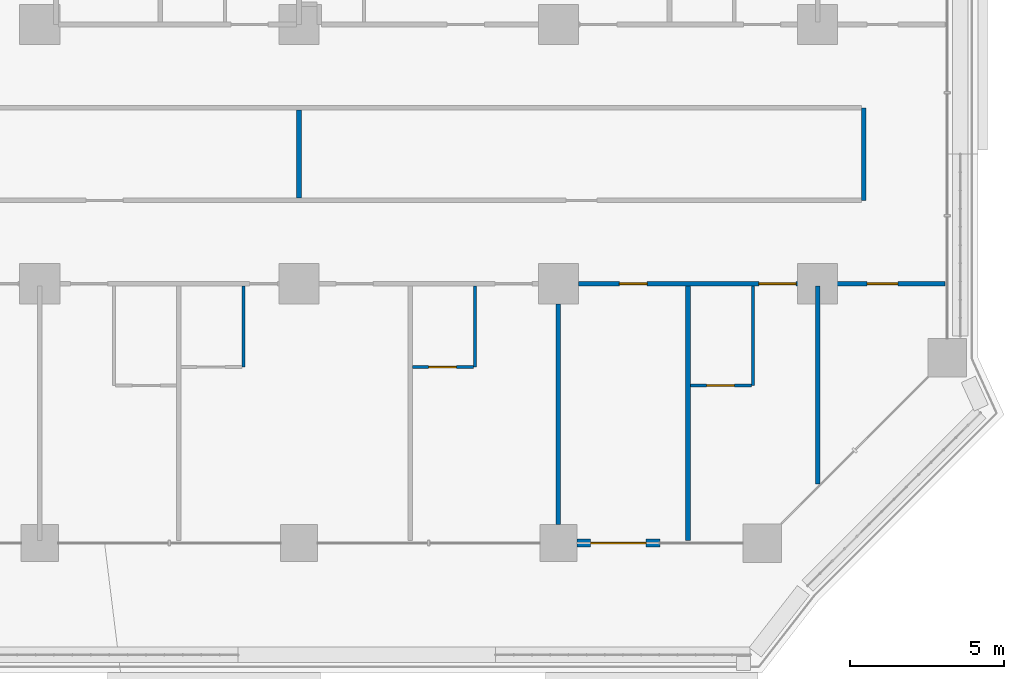
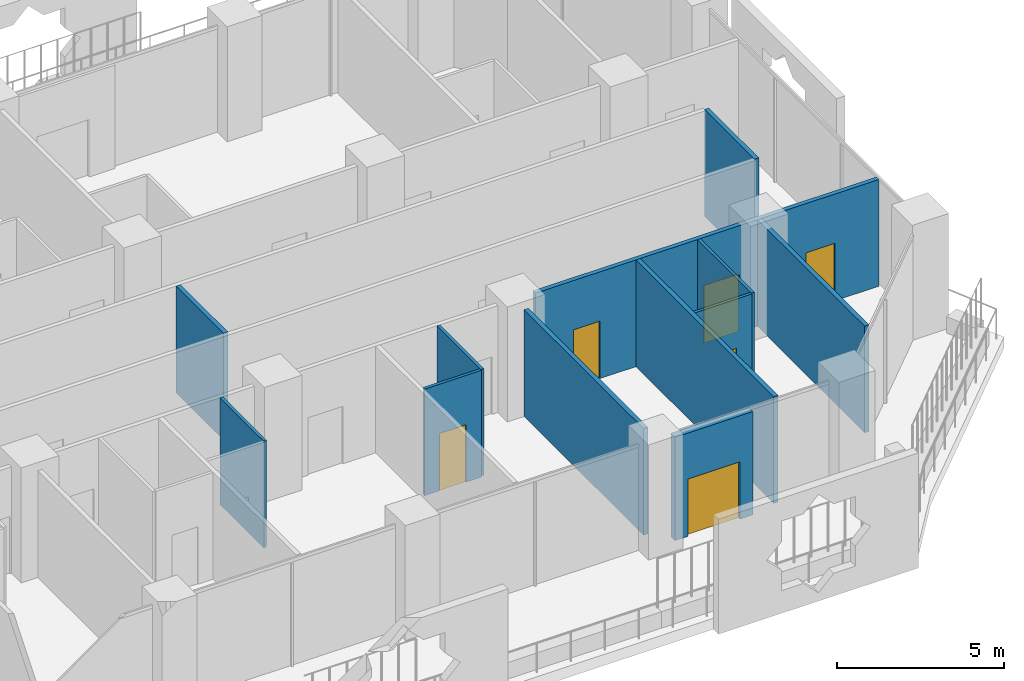
# One storey, part 17 of 28: 12 walls, 6 doors, 6 openings.
"""IFC4 building model written with IfcOpenShell, lengths in metres."""

from ifc_helpers import new_model, si_unit, direction, frame, frame_2d, origin, place, context, subcontext, project, spatial, rectangle, extrude, material, layer, layer_set, type_object, element, fill, save


model = new_model("IFC4")

# Units and contexts
model_context = context("Model", 3, precision=1e-05, world=origin(), true_north=direction((0.0, 1.0)))
body_context = subcontext(model_context, "Body", "Model", "MODEL_VIEW")
ifc_project = project(units=[si_unit("LENGTHUNIT", "METRE"), si_unit("AREAUNIT", "SQUARE_METRE"), si_unit("VOLUMEUNIT", "CUBIC_METRE"), si_unit("PLANEANGLEUNIT", "RADIAN"), si_unit("MASSUNIT", "GRAM", prefix="KILO")], contexts=[model_context])

# Site, building, storey
site_placement = place(None, origin())
site = spatial("IfcSite", under=ifc_project, at=site_placement, CompositionType="ELEMENT")
building_placement = place(site_placement, origin())
building = spatial("IfcBuilding", under=site, at=building_placement, Name="Kawkab Arch Medical Tower", CompositionType="ELEMENT")
storey_placement = place(building_placement, frame((0.0, 0.0, 81.199951171875)))
storey = spatial("IfcBuildingStorey", under=building, at=storey_placement, Name="L18", CompositionType="ELEMENT", Elevation=81.199951171875)

# Wall, opening, door
ifc_material_1 = material(Name="Bronze clad insulated wall panel")
ifc_layer_1 = layer(ifc_material_1, 0.25)
ifc_layer_set_1 = layer_set([ifc_layer_1], Name="Bronze clad insulated wall panel")
wall_type_1 = type_object("IfcWallType", Name="External wall bay 250", PredefinedType="SOLIDWALL", material=ifc_layer_set_1)
wall_1_placement = place(storey_placement, frame((67.800048828125, -25.199951171875, 0.0), z_axis=(0.0, 0.0, 1.0), x_axis=(1.0, 0.0, 0.0)))
wall_1 = element("IfcWall", 1, at=wall_1_placement, inside=storey, type_object=wall_type_1, Name="External wall bay L18.R07.5.1", PredefinedType="SOLIDWALL", context=body_context, shape_type="SweptSolid", body=[
    extrude(rectangle(XDim=2.6875, YDim=0.25, at=frame_2d((1.34375, 0.0))), origin(), (0.0, 0.0, 1.0), 3.780029296875),
])
opening_1_placement = place(wall_1_placement, frame((0.443603515625, 0.0, 0.0)))
opening_1 = element("IfcOpeningElement", 2, at=opening_1_placement, cuts=wall_1, Name="Opening W18-702", PredefinedType="OPENING", context=body_context, shape_type="SweptSolid", body=[
    extrude(rectangle(XDim=1.800048828125, YDim=2.10009765625, at=frame_2d((0.89990234375, 1.050048828125))), frame((0.0, 0.135009765625, 0.0), z_axis=(0.0, -1.0, 0.0), x_axis=(1.0, 0.0, 0.0)), (0.0, 0.0, 1.0), 0.27001953125),
])
ifc_material_2 = material(Name="Bronze anodised aluminium door with tinted glass", Category="aluminium")
door_type_1 = type_object("IfcDoorType", Name="Double external door 1800 x 2100", OperationType="DOUBLE_DOOR_SINGLE_SWING", PredefinedType="DOOR", material=ifc_material_2)
door_1_placement = place(opening_1_placement, origin())
door_1 = element("IfcDoor", 3, at=door_1_placement, inside=storey, type_object=door_type_1, Name="External door L18.R07.5.1", OperationType="DOUBLE_DOOR_SINGLE_SWING", OverallHeight=2.10009765625, OverallWidth=1.800048828125, PredefinedType="DOOR", context=body_context, shape_type="SweptSolid", body=[
    extrude(rectangle(XDim=1.800048828125, YDim=2.10009765625, at=frame_2d((0.89990234375, 1.050048828125))), frame((0.0, 0.02490234375, 0.0), z_axis=(0.0, -1.0, 0.0), x_axis=(1.0, 0.0, 0.0)), (0.0, 0.0, 1.0), 0.050048828125),
])
fill(opening_1, door_1)

ifc_material_3 = material(Name="Gypsum board partition on steel studs", Category="steel")
ifc_layer_2 = layer(ifc_material_3, 0.10009765625)
ifc_layer_set_2 = layer_set([ifc_layer_2], Name="Gypsum board partition on steel studs")
wall_type_2 = type_object("IfcWallType", Name="Partition 100", PredefinedType="PARTITIONING", material=ifc_layer_set_2)
wall_2_placement = place(storey_placement, frame((71.47509765625, -20.10009765625, 0.0), z_axis=(0.0, 0.0, 1.0), x_axis=(1.0, 0.0, 0.0)))
wall_2 = element("IfcWall", 4, at=wall_2_placement, inside=storey, type_object=wall_type_2, Name="Partition 100 w011", PredefinedType="PARTITIONING", context=body_context, shape_type="SweptSolid", body=[
    extrude(rectangle(XDim=1.974853515625, YDim=0.10009765625, at=frame_2d((0.9873046875, 0.0))), origin(), (0.0, 0.0, 1.0), 3.900146484375),
])
opening_2_placement = place(wall_2_placement, frame((0.52490234375, 0.0, 0.0)))
opening_2 = element("IfcOpeningElement", 5, at=opening_2_placement, cuts=wall_2, Name="Opening W18-014", PredefinedType="OPENING", context=body_context, shape_type="SweptSolid", body=[
    extrude(rectangle(XDim=0.89990234375, YDim=2.10009765625, at=frame_2d((0.449951171875, 1.050048828125))), frame((0.0, 0.06005859375, 0.0), z_axis=(0.0, -1.0, 0.0), x_axis=(1.0, 0.0, 0.0)), (0.0, 0.0, 1.0), 0.1201171875),
])
ifc_material_4 = material(Name="Timber door leaf", Category="wood")
door_type_2 = type_object("IfcDoorType", Name="Single door 900x2100", OperationType="NOTDEFINED", PredefinedType="DOOR", material=ifc_material_4)
door_2_placement = place(opening_2_placement, origin())
door_2 = element("IfcDoor", 6, at=door_2_placement, inside=storey, type_object=door_type_2, Name="Door W18-014", OperationType="SINGLE_SWING_LEFT", OverallHeight=2.10009765625, OverallWidth=0.89990234375, PredefinedType="DOOR", context=body_context, shape_type="SweptSolid", body=[
    extrude(rectangle(XDim=0.89990234375, YDim=2.10009765625, at=frame_2d((0.449951171875, 1.050048828125))), frame((0.0, 0.02490234375, 0.0), z_axis=(0.0, -1.0, 0.0), x_axis=(1.0, 0.0, 0.0)), (0.0, 0.0, 1.0), 0.050048828125),
])
fill(opening_2, door_2)

wall_3_placement = place(storey_placement, frame((62.47509765625, -19.5, 0.0), z_axis=(0.0, 0.0, 1.0), x_axis=(1.0, 0.0, 0.0)))
wall_3 = element("IfcWall", 7, at=wall_3_placement, inside=storey, type_object=wall_type_2, Name="Partition 100 w014", PredefinedType="PARTITIONING", context=body_context, shape_type="SweptSolid", body=[
    extrude(rectangle(XDim=1.974853515625, YDim=0.10009765625, at=frame_2d((0.9873046875, 0.0))), origin(), (0.0, 0.0, 1.0), 3.900146484375),
])
opening_3_placement = place(wall_3_placement, frame((0.52490234375, 0.0, 0.0)))
opening_3 = element("IfcOpeningElement", 8, at=opening_3_placement, cuts=wall_3, Name="Opening W18-012", PredefinedType="OPENING", context=body_context, shape_type="SweptSolid", body=[
    extrude(rectangle(XDim=0.89990234375, YDim=2.10009765625, at=frame_2d((0.449951171875, 1.050048828125))), frame((0.0, 0.06005859375, 0.0), z_axis=(0.0, -1.0, 0.0), x_axis=(1.0, 0.0, 0.0)), (0.0, 0.0, 1.0), 0.1201171875),
])
door_3_placement = place(opening_3_placement, origin())
door_3 = element("IfcDoor", 9, at=door_3_placement, inside=storey, type_object=door_type_2, Name="Door W18-012", OperationType="SINGLE_SWING_RIGHT", OverallHeight=2.10009765625, OverallWidth=0.89990234375, PredefinedType="DOOR", context=body_context, shape_type="SweptSolid", body=[
    extrude(rectangle(XDim=0.89990234375, YDim=2.10009765625, at=frame_2d((0.449951171875, 1.050048828125))), frame((0.0, 0.02490234375, 0.0), z_axis=(0.0, -1.0, 0.0), x_axis=(1.0, 0.0, 0.0)), (0.0, 0.0, 1.0), 0.050048828125),
])
fill(opening_3, door_3)

# Walls
wall_4_placement = place(storey_placement, frame((57.0, -19.4990234375, 0.0), z_axis=(0.0, 0.0, 1.0), x_axis=(0.0, 1.0, 0.0)))
element("IfcWall", 10, at=wall_4_placement, inside=storey, type_object=wall_type_2, Name="Partition 100 w034", PredefinedType="PARTITIONING", context=body_context, shape_type="SweptSolid", body=[
    extrude(rectangle(XDim=2.6240234375, YDim=0.10009765625, at=frame_2d((1.31201171875, 0.0))), origin(), (0.0, 0.0, 1.0), 3.900146484375),
])
wall_5_placement = place(storey_placement, frame((64.5, -19.5, 0.0), z_axis=(0.0, 0.0, 1.0), x_axis=(0.0, 1.0, 0.0)))
element("IfcWall", 11, at=wall_5_placement, inside=storey, type_object=wall_type_2, Name="Partition 100 w036", PredefinedType="PARTITIONING", context=body_context, shape_type="SweptSolid", body=[
    extrude(rectangle(XDim=2.625, YDim=0.10009765625, at=frame_2d((1.3125, 0.0))), origin(), (0.0, 0.0, 1.0), 3.900146484375),
])
wall_6_placement = place(storey_placement, frame((73.5, -20.10009765625, 0.0), z_axis=(0.0, 0.0, 1.0), x_axis=(0.0, 1.0, 0.0)))
element("IfcWall", 12, at=wall_6_placement, inside=storey, type_object=wall_type_2, Name="Partition 100 w038", PredefinedType="PARTITIONING", context=body_context, shape_type="SweptSolid", body=[
    extrude(rectangle(XDim=3.22509765625, YDim=0.10009765625, at=frame_2d((1.612548828125, 0.0))), origin(), (0.0, 0.0, 1.0), 3.900146484375),
])

# Wall, openings, doors
ifc_material_5 = material(Name="Gypsum board partition on steel studs, mineral wool", Category="steel")
ifc_layer_3 = layer(ifc_material_5, 0.14990234375)
ifc_layer_set_3 = layer_set([ifc_layer_3], Name="Gypsum board partition on steel studs, mineral wool")
wall_type_3 = type_object("IfcWallType", Name="Partition 150", PredefinedType="PARTITIONING", material=ifc_layer_set_3)
wall_7_placement = place(storey_placement, frame((67.85009765625, -16.800048828125, 0.0), z_axis=(0.0, 0.0, 1.0), x_axis=(1.0, 0.0, 0.0)))
wall_7 = element("IfcWall", 13, at=wall_7_placement, inside=storey, type_object=wall_type_3, Name="Partition 150 w060", PredefinedType="PARTITIONING", context=body_context, shape_type="SweptSolid", body=[
    extrude(rectangle(XDim=11.869873046875, YDim=0.14990234375, at=frame_2d((5.93505859375, 0.0))), origin(), (0.0, 0.0, 1.0), 3.900146484375),
])
opening_4_placement = place(wall_7_placement, frame((1.324951171875, 0.0, 0.0)))
opening_4 = element("IfcOpeningElement", 14, at=opening_4_placement, cuts=wall_7, Name="Opening W18-013", PredefinedType="OPENING", context=body_context, shape_type="SweptSolid", body=[
    extrude(rectangle(XDim=0.89990234375, YDim=2.10009765625, at=frame_2d((0.449951171875, 1.050048828125))), frame((0.0, 0.0849609375, 0.0), z_axis=(0.0, -1.0, 0.0), x_axis=(1.0, 0.0, 0.0)), (0.0, 0.0, 1.0), 0.169921875),
])
opening_5_placement = place(wall_7_placement, frame((5.85009765625, 0.0, 0.0)))
opening_5 = element("IfcOpeningElement", 15, at=opening_5_placement, cuts=wall_7, Name="Opening W18-058", PredefinedType="OPENING", context=body_context, shape_type="SweptSolid", body=[
    extrude(rectangle(XDim=1.199951171875, YDim=2.10009765625, at=frame_2d((0.60009765625, 1.050048828125))), frame((0.0, 0.0849609375, 0.0), z_axis=(0.0, -1.0, 0.0), x_axis=(1.0, 0.0, 0.0)), (0.0, 0.0, 1.0), 0.169921875),
])
opening_6_placement = place(wall_7_placement, frame((9.35009765625, 0.0, 0.0)))
opening_6 = element("IfcOpeningElement", 16, at=opening_6_placement, cuts=wall_7, Name="Opening W18-035", PredefinedType="OPENING", context=body_context, shape_type="SweptSolid", body=[
    extrude(rectangle(XDim=1.0, YDim=2.10009765625, at=frame_2d((0.5, 1.050048828125))), frame((0.0, 0.0849609375, 0.0), z_axis=(0.0, -1.0, 0.0), x_axis=(1.0, 0.0, 0.0)), (0.0, 0.0, 1.0), 0.169921875),
])
ifc_material_6 = material(Name="Hollow metal door leaf")
door_type_3 = type_object("IfcDoorType", Name="Single door 1000x2100 FD30S", OperationType="NOTDEFINED", PredefinedType="DOOR", material=ifc_material_6)
door_4_placement = place(opening_6_placement, origin())
door_4 = element("IfcDoor", 17, at=door_4_placement, inside=storey, type_object=door_type_3, Name="Door W18-035", OperationType="SINGLE_SWING_LEFT", OverallHeight=2.10009765625, OverallWidth=1.0, PredefinedType="DOOR", context=body_context, shape_type="SweptSolid", body=[
    extrude(rectangle(XDim=1.0, YDim=2.10009765625, at=frame_2d((0.5, 1.050048828125))), frame((0.0, 0.02490234375, 0.0), z_axis=(0.0, -1.0, 0.0), x_axis=(1.0, 0.0, 0.0)), (0.0, 0.0, 1.0), 0.050048828125),
])
fill(opening_6, door_4)
ifc_material_7 = material(Name="Hollow metal door leaf")
door_type_4 = type_object("IfcDoorType", Name="Single door 1200x2100 FD30S", OperationType="NOTDEFINED", PredefinedType="DOOR", material=ifc_material_7)
door_5_placement = place(opening_5_placement, origin())
door_5 = element("IfcDoor", 18, at=door_5_placement, inside=storey, type_object=door_type_4, Name="Door W18-058", OperationType="SINGLE_SWING_LEFT", OverallHeight=2.10009765625, OverallWidth=1.199951171875, PredefinedType="DOOR", context=body_context, shape_type="SweptSolid", body=[
    extrude(rectangle(XDim=1.199951171875, YDim=2.10009765625, at=frame_2d((0.60009765625, 1.050048828125))), frame((0.0, 0.02490234375, 0.0), z_axis=(0.0, -1.0, 0.0), x_axis=(1.0, 0.0, 0.0)), (0.0, 0.0, 1.0), 0.050048828125),
])
fill(opening_5, door_5)
door_6_placement = place(opening_4_placement, origin())
door_6 = element("IfcDoor", 19, at=door_6_placement, inside=storey, type_object=door_type_2, Name="Door W18-013", OperationType="SINGLE_SWING_RIGHT", OverallHeight=2.10009765625, OverallWidth=0.89990234375, PredefinedType="DOOR", context=body_context, shape_type="SweptSolid", body=[
    extrude(rectangle(XDim=0.89990234375, YDim=2.10009765625, at=frame_2d((0.449951171875, 1.050048828125))), frame((0.0, 0.02490234375, 0.0), z_axis=(0.0, -1.0, 0.0), x_axis=(1.0, 0.0, 0.0)), (0.0, 0.0, 1.0), 0.050048828125),
])
fill(opening_4, door_6)

# Walls
wall_8_placement = place(storey_placement, frame((58.800048828125, -14.02490234375, 0.0), z_axis=(0.0, 0.0, 1.0), x_axis=(0.0, 1.0, 0.0)))
element("IfcWall", 20, at=wall_8_placement, inside=storey, type_object=wall_type_3, Name="Partition 150 w095", PredefinedType="PARTITIONING", context=body_context, shape_type="SweptSolid", body=[
    extrude(rectangle(XDim=2.849853515625, YDim=0.14990234375, at=frame_2d((1.4248046875, 0.0))), origin(), (0.0, 0.0, 1.0), 3.900146484375),
])
wall_9_placement = place(storey_placement, frame((67.199951171875, -24.60009765625, 0.0), z_axis=(0.0, 0.0, 1.0), x_axis=(0.0, 1.0, 0.0)))
element("IfcWall", 21, at=wall_9_placement, inside=storey, type_object=wall_type_3, Name="Partition 150 w099", PredefinedType="PARTITIONING", context=body_context, shape_type="SweptSolid", body=[
    extrude(rectangle(XDim=7.150146484375, YDim=0.14990234375, at=frame_2d((3.5751953125, 0.0))), origin(), (0.0, 0.0, 1.0), 3.900146484375),
])
wall_10_placement = place(storey_placement, frame((71.39990234375, -25.1201171875, 0.0), z_axis=(0.0, 0.0, 1.0), x_axis=(0.0, 1.0, 0.0)))
element("IfcWall", 22, at=wall_10_placement, inside=storey, type_object=wall_type_3, Name="Partition 150 w101", PredefinedType="PARTITIONING", context=body_context, shape_type="SweptSolid", body=[
    extrude(rectangle(XDim=8.2451171875, YDim=0.14990234375, at=frame_2d((4.12255859375, 0.0))), origin(), (0.0, 0.0, 1.0), 3.900146484375),
])
wall_11_placement = place(storey_placement, frame((75.60009765625, -23.287109375, 0.0), z_axis=(0.0, 0.0, 1.0), x_axis=(0.0, 1.0, 0.0)))
element("IfcWall", 23, at=wall_11_placement, inside=storey, type_object=wall_type_3, Name="Partition 150 w102", PredefinedType="PARTITIONING", context=body_context, shape_type="SweptSolid", body=[
    extrude(rectangle(XDim=6.412109375, YDim=0.14990234375, at=frame_2d((3.2060546875, 0.0))), origin(), (0.0, 0.0, 1.0), 3.900146484375),
])
wall_12_placement = place(storey_placement, frame((77.10009765625, -14.10009765625, 0.0), z_axis=(0.0, 0.0, 1.0), x_axis=(0.0, 1.0, 0.0)))
element("IfcWall", 24, at=wall_12_placement, inside=storey, type_object=wall_type_3, Name="Partition 150 w104", PredefinedType="PARTITIONING", context=body_context, shape_type="SweptSolid", body=[
    extrude(rectangle(XDim=3.0, YDim=0.14990234375, at=frame_2d((1.5, 0.0))), origin(), (0.0, 0.0, 1.0), 3.900146484375),
])

save(model, "model.ifc")
